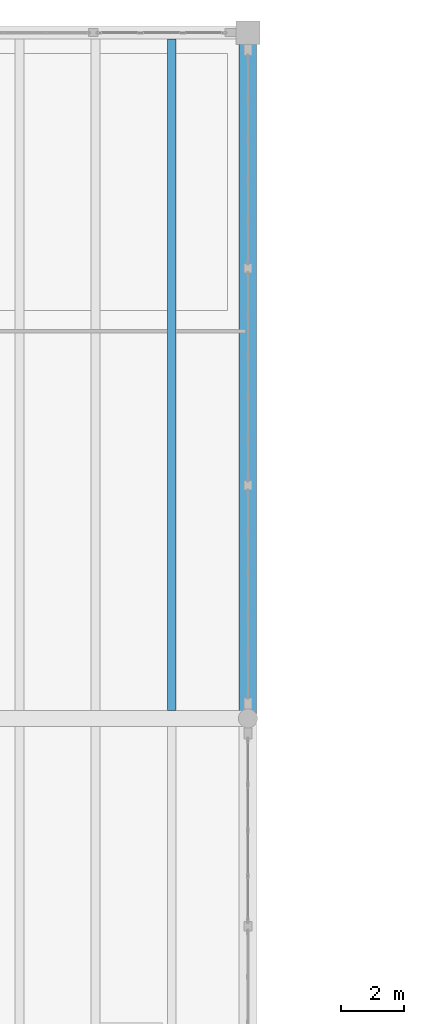
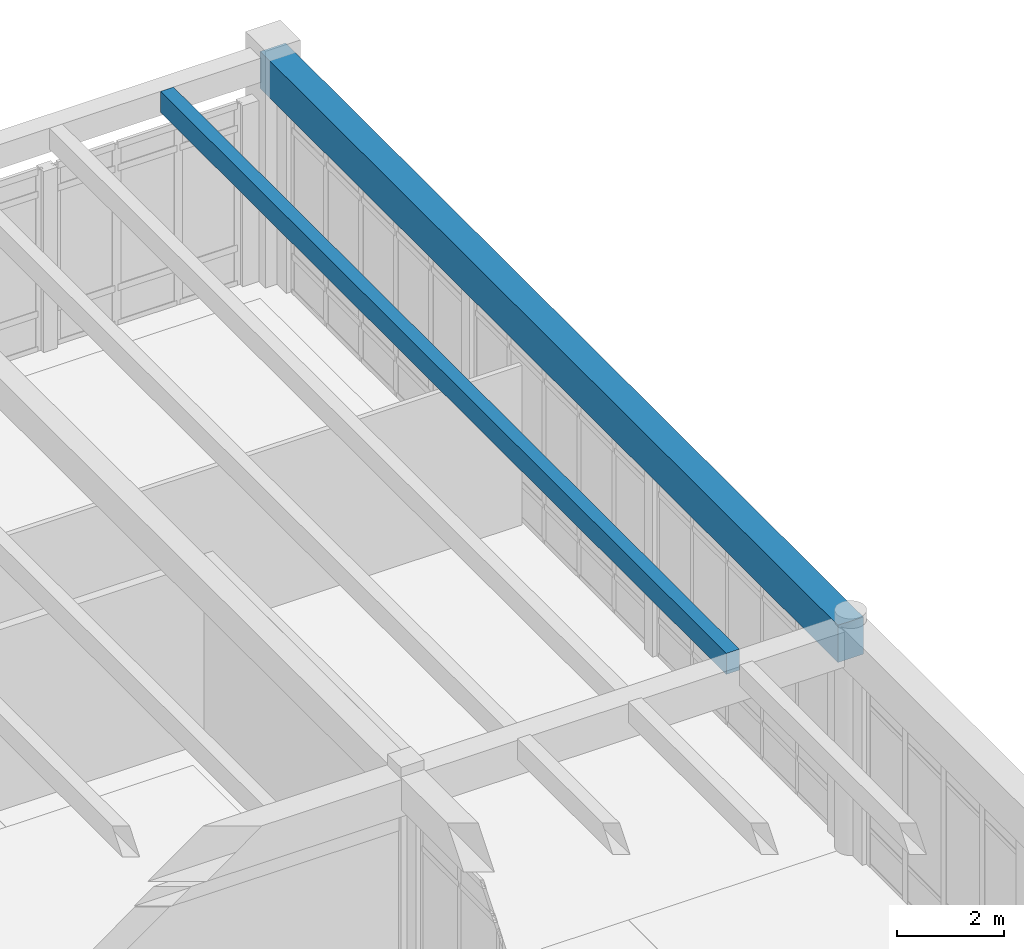
# One storey, part 85 of 138: 2 beams.
"""IFC4 building model written with IfcOpenShell, lengths in metres."""

from ifc_helpers import new_model, si_unit, direction, frame, origin, origin_2d, place, context, subcontext, project, spatial, rectangle, extrude, material, material_profile, profile_set, type_object, element, save


model = new_model("IFC4")

# Units and contexts
model_context = context("Model", 3, precision=1e-05, world=origin(), true_north=direction((0.0, 1.0)))
body_context = subcontext(model_context, "Body", "Model", "MODEL_VIEW")
ifc_project = project(units=[si_unit("LENGTHUNIT", "METRE"), si_unit("AREAUNIT", "SQUARE_METRE"), si_unit("VOLUMEUNIT", "CUBIC_METRE"), si_unit("PLANEANGLEUNIT", "RADIAN"), si_unit("MASSUNIT", "GRAM", prefix="KILO")], contexts=[model_context])

# Site, building, storey
site_placement = place(None, origin())
site = spatial("IfcSite", under=ifc_project, at=site_placement, CompositionType="ELEMENT")
building_placement = place(site_placement, origin())
building = spatial("IfcBuilding", under=site, at=building_placement, Name="Fikremerkos Civic Library", CompositionType="ELEMENT")
storey_placement = place(building_placement, origin())
storey = spatial("IfcBuildingStorey", under=building, at=storey_placement, Name="L00", CompositionType="ELEMENT", Elevation=0.0)

# Beams
ifc_material = material(Name="Concrete C40/50", Category="concrete")
ifc_material_profile_1 = material_profile(ifc_material, rectangle(XDim=0.280029296875, YDim=0.47998046875, at=origin_2d()), Name="RC 280x480")
ifc_profile_set_1 = profile_set([ifc_material_profile_1], Name="Concrete C40/50")
beam_type_1 = type_object("IfcBeamType", Name="Floor joist JS-04 RC 280x480", PredefinedType="JOIST", material=ifc_profile_set_1)
beam_1_placement = place(storey_placement, frame((132.0, 96.25, 4.89990234375), z_axis=(0.0, 1.0, 0.0), x_axis=(-1.0, 0.0, 0.0)))
element("IfcBeam", 1, at=beam_1_placement, inside=storey, type_object=beam_type_1, Name="Floor joist JS-04 L00 #372", PredefinedType="JOIST", context=body_context, shape_type="SweptSolid", body=[
    extrude(rectangle(XDim=0.280029296875, YDim=0.47998046875, at=origin_2d()), origin(), (0.0, 0.0, 1.0), 21.14990234375),
])
ifc_material_profile_2 = material_profile(ifc_material, rectangle(XDim=0.550048828125, YDim=0.85009765625, at=origin_2d()), Name="RC 550x850")
ifc_profile_set_2 = profile_set([ifc_material_profile_2], Name="Concrete C40/50")
beam_type_2 = type_object("IfcBeamType", Name="Primary girder BM-03 RC 550x850", PredefinedType="BEAM", material=ifc_profile_set_2)
beam_2_placement = place(storey_placement, frame((134.39990234375, 96.0, 4.715087890625), z_axis=(0.0, 1.0, 0.0), x_axis=(-1.0, 0.0, 0.0)))
element("IfcBeam", 2, at=beam_2_placement, inside=storey, type_object=beam_type_2, Name="Primary girder BM-03 L00 grid 12", PredefinedType="BEAM", context=body_context, shape_type="SweptSolid", body=[
    extrude(rectangle(XDim=0.550048828125, YDim=0.85009765625, at=origin_2d()), origin(), (0.0, 0.0, 1.0), 21.60009765625),
])

save(model, "model.ifc")
